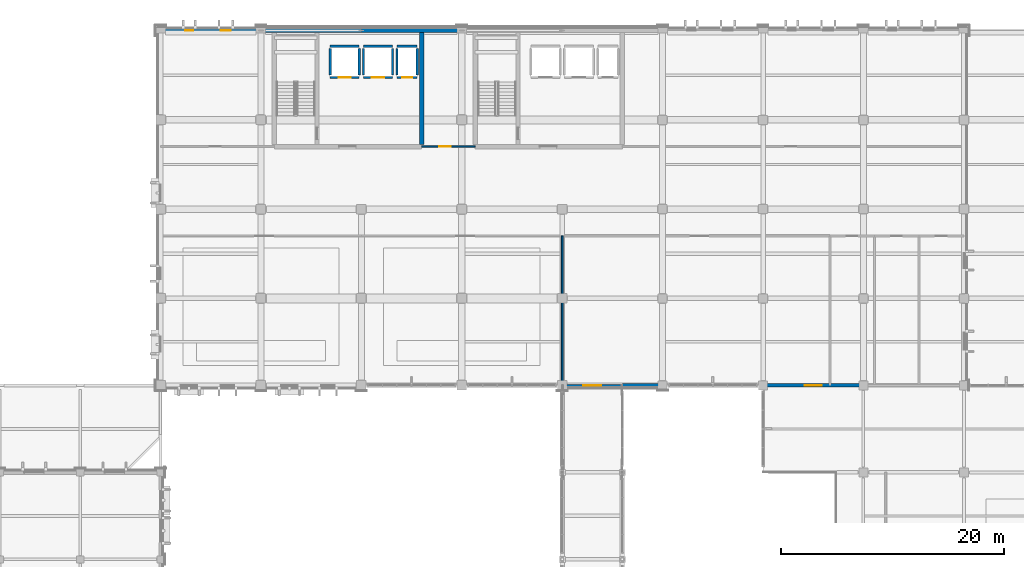
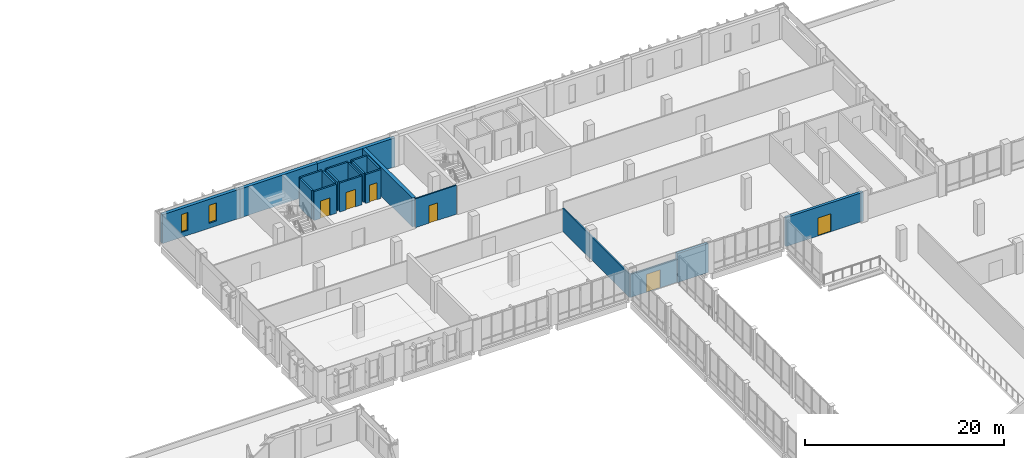
# One storey, part 60 of 85: 21 walls, 6 doors, 2 windows, 8 openings.
"""IFC4 building model written with IfcOpenShell, lengths in metres."""

from ifc_helpers import new_model, si_unit, direction, frame, frame_2d, origin, place, context, subcontext, project, spatial, rectangle, extrude, material, layer, layer_set, type_object, element, fill, save


model = new_model("IFC4")

# Units and contexts
model_context = context("Model", 3, precision=1e-05, world=origin(), true_north=direction((0.0, 1.0)))
body_context = subcontext(model_context, "Body", "Model", "MODEL_VIEW")
ifc_project = project(units=[si_unit("LENGTHUNIT", "METRE"), si_unit("AREAUNIT", "SQUARE_METRE"), si_unit("VOLUMEUNIT", "CUBIC_METRE"), si_unit("PLANEANGLEUNIT", "RADIAN"), si_unit("MASSUNIT", "GRAM", prefix="KILO")], contexts=[model_context])

# Site, building, storey
site_placement = place(None, origin())
site = spatial("IfcSite", under=ifc_project, at=site_placement, CompositionType="ELEMENT")
building_placement = place(site_placement, origin())
building = spatial("IfcBuilding", under=site, at=building_placement, Name="Vervanel Yard Central Library", CompositionType="ELEMENT")
storey_placement = place(building_placement, frame((0.0, 0.0, 5.10009765625)))
storey = spatial("IfcBuildingStorey", under=building, at=storey_placement, Name="L01", CompositionType="ELEMENT", Elevation=5.10009765625)

# Wall
ifc_material_1 = material(Name="Fire-rated gypsum board on steel studs", Category="steel")
ifc_layer_1 = layer(ifc_material_1, 0.159912109375, Category="steel")
ifc_layer_set_1 = layer_set([ifc_layer_1], Name="Fire-rated gypsum board on steel studs")
wall_type_1 = type_object("IfcWallType", Name="Acoustic Glazed Partition 160", PredefinedType="PARTITIONING", material=ifc_layer_set_1)
wall_1_placement = place(storey_placement, frame((72.0, 82.199951171875, 0.0), z_axis=(0.0, 0.0, 1.0), x_axis=(0.0, 1.0, 0.0)))
element("IfcWall", 1, at=wall_1_placement, inside=storey, type_object=wall_type_1, Name="L01 Acoustic Glazed Partition 160 IPART-L01-0049", PredefinedType="PARTITIONING", context=body_context, shape_type="SweptSolid", body=[
    extrude(rectangle(XDim=13.400146484375, YDim=0.159912109375, at=frame_2d((6.7001953125, 0.0))), origin(), (0.0, 0.0, 1.0), 2.85498046875),
])

# Wall, opening, door
wall_2_placement = place(storey_placement, frame((72.0, 82.199951171875, 0.0), z_axis=(0.0, 0.0, 1.0), x_axis=(1.0, 0.0, 0.0)))
wall_2 = element("IfcWall", 2, at=wall_2_placement, inside=storey, type_object=wall_type_1, Name="L01 Acoustic Glazed Partition 160 IPART-RC2-L01-BRG-N", PredefinedType="PARTITIONING", context=body_context, shape_type="SweptSolid", body=[
    extrude(rectangle(XDim=5.39990234375, YDim=0.159912109375, at=frame_2d((2.699951171875, 0.0))), origin(), (0.0, 0.0, 1.0), 2.85498046875),
])
opening_1_placement = place(wall_2_placement, frame((1.89990234375, 0.0, 0.0)))
opening_1 = element("IfcOpeningElement", 3, at=opening_1_placement, cuts=wall_2, Name="Opening DR-04", PredefinedType="OPENING", context=body_context, shape_type="SweptSolid", body=[
    extrude(rectangle(XDim=1.60009765625, YDim=2.199951171875, at=frame_2d((0.800048828125, 1.10009765625))), frame((0.0, 0.08984375, 0.0), z_axis=(0.0, -1.0, 0.0), x_axis=(1.0, 0.0, 0.0)), (0.0, 0.0, 1.0), 0.179931640625),
])
ifc_material_2 = material(Name="Solid white oak acoustic joinery", Category="wood")
door_type_1 = type_object("IfcDoorType", Name="Interior Double Reading Door 1600x2200", OperationType="NOTDEFINED", PredefinedType="DOOR", material=ifc_material_2)
door_1_placement = place(opening_1_placement, origin())
door_1 = element("IfcDoor", 4, at=door_1_placement, inside=storey, type_object=door_type_1, Name="L01 Interior Double Reading Door 1600x2200 IDOOR-IPART-RC2-L01-BRG-N-1", OperationType="DOUBLE_DOOR_SINGLE_SWING", OverallHeight=2.199951171875, OverallWidth=1.60009765625, PredefinedType="DOOR", context=body_context, shape_type="SweptSolid", body=[
    extrude(rectangle(XDim=1.60009765625, YDim=2.199951171875, at=frame_2d((0.800048828125, 1.10009765625))), frame((0.0, 0.02490234375, 0.0), z_axis=(0.0, -1.0, 0.0), x_axis=(1.0, 0.0, 0.0)), (0.0, 0.0, 1.0), 0.050048828125),
])
fill(opening_1, door_1)

# Walls
ifc_material_3 = material(Name="Concrete C45/55", Category="concrete")
ifc_layer_2 = layer(ifc_material_3, 0.39990234375, Category="concrete")
ifc_layer_set_2 = layer_set([ifc_layer_2], Name="Concrete C45/55")
wall_type_2 = type_object("IfcWallType", Name="Core Primary Shear Wall 400", PredefinedType="SHEAR", material=ifc_layer_set_2)
wall_3_placement = place(storey_placement, frame((59.39990234375, 103.800048828125, 0.0), z_axis=(0.0, 0.0, 1.0), x_axis=(0.0, 1.0, 0.0)))
element("IfcWall", 5, at=wall_3_placement, inside=storey, type_object=wall_type_2, Name="L01 CORE-A Shear Wall E", PredefinedType="SHEAR", context=body_context, shape_type="SweptSolid", body=[
    extrude(rectangle(XDim=10.010009765625, YDim=0.39990234375, at=frame_2d((5.0048828125, 0.0))), origin(), (0.0, 0.0, 1.0), 3.5498046875),
])
ifc_layer_3 = layer(ifc_material_3, 0.340087890625, Category="concrete")
ifc_layer_set_3 = layer_set([ifc_layer_3], Name="Concrete C45/55")
wall_type_3 = type_object("IfcWallType", Name="Exterior Bearing Concrete Frame Wall 340", PredefinedType="SOLIDWALL", material=ifc_layer_set_3)
wall_4_placement = place(storey_placement, frame((77.39990234375, 82.199951171875, 0.0), z_axis=(0.0, 0.0, 1.0), x_axis=(1.0, 0.0, 0.0)))
element("IfcWall", 6, at=wall_4_placement, inside=storey, type_object=wall_type_3, Name="L01 Exterior Bearing Concrete Frame Wall 340 EWALL-L01-0029", PredefinedType="SOLIDWALL", context=body_context, shape_type="SweptSolid", body=[
    extrude(rectangle(XDim=3.60009765625, YDim=0.340087890625, at=frame_2d((1.800048828125, 0.0))), origin(), (0.0, 0.0, 1.0), 3.5498046875),
])

# Wall, openings, windows
ifc_layer_4 = layer(ifc_material_3, 0.3798828125, Category="concrete")
ifc_layer_set_4 = layer_set([ifc_layer_4], Name="Concrete C45/55")
wall_type_4 = type_object("IfcWallType", Name="Exterior Bearing Concrete Spine Wall 380", PredefinedType="SOLIDWALL", material=ifc_layer_set_4)
wall_5_placement = place(storey_placement, frame((36.0, 114.0, 0.0), z_axis=(0.0, 0.0, 1.0), x_axis=(1.0, 0.0, 0.0)))
wall_5 = element("IfcWall", 7, at=wall_5_placement, inside=storey, type_object=wall_type_4, Name="L01 Exterior Bearing Concrete Spine Wall 380 EWALL-L01-0019", PredefinedType="SOLIDWALL", context=body_context, shape_type="SweptSolid", body=[
    extrude(rectangle(XDim=9.0, YDim=0.3798828125, at=frame_2d((4.5, 0.0))), origin(), (0.0, 0.0, 1.0), 3.5498046875),
])
opening_2_placement = place(wall_5_placement, frame((2.199951171875, 0.0, 0.614990234375)))
opening_2 = element("IfcOpeningElement", 8, at=opening_2_placement, cuts=wall_5, Name="Opening WN-04", PredefinedType="OPENING", context=body_context, shape_type="SweptSolid", body=[
    extrude(rectangle(XDim=0.75, YDim=2.199951171875, at=frame_2d((0.375, 1.10009765625))), frame((0.0, 0.199951171875, 0.0), z_axis=(0.0, -1.0, 0.0), x_axis=(1.0, 0.0, 0.0)), (0.0, 0.0, 1.0), 0.39990234375),
])
opening_3_placement = place(wall_5_placement, frame((5.39990234375, 0.0, 0.614990234375)))
opening_3 = element("IfcOpeningElement", 9, at=opening_3_placement, cuts=wall_5, Name="Opening WN-05", PredefinedType="OPENING", context=body_context, shape_type="SweptSolid", body=[
    extrude(rectangle(XDim=0.89990234375, YDim=2.199951171875, at=frame_2d((0.449951171875, 1.10009765625))), frame((0.0, 0.199951171875, 0.0), z_axis=(0.0, -1.0, 0.0), x_axis=(1.0, 0.0, 0.0)), (0.0, 0.0, 1.0), 0.39990234375),
])
ifc_material_4 = material(Name="Double low-E laminated solar-control glass", Category="glass")
window_type_1 = type_object("IfcWindowType", Name="Stack Deep-Reveal Window 900x2200", PartitioningType="SINGLE_PANEL", PredefinedType="WINDOW", material=ifc_material_4)
window_1_placement = place(opening_3_placement, origin())
window_1 = element("IfcWindow", 10, at=window_1_placement, inside=storey, type_object=window_type_1, Name="L01 Stack Deep-Reveal Window 900x2200 29", OverallHeight=2.199951171875, OverallWidth=0.89990234375, PartitioningType="SINGLE_PANEL", PredefinedType="WINDOW", context=body_context, shape_type="SweptSolid", body=[
    extrude(rectangle(XDim=0.89990234375, YDim=2.199951171875, at=frame_2d((0.449951171875, 1.10009765625))), frame((0.0, 0.030029296875, 0.0), z_axis=(0.0, -1.0, 0.0), x_axis=(1.0, 0.0, 0.0)), (0.0, 0.0, 1.0), 0.06005859375),
])
fill(opening_3, window_1)
window_type_2 = type_object("IfcWindowType", Name="Stack Narrow UV-Filtered Window 750x2200", PartitioningType="SINGLE_PANEL", PredefinedType="WINDOW", material=ifc_material_4)
window_2_placement = place(opening_2_placement, origin())
window_2 = element("IfcWindow", 11, at=window_2_placement, inside=storey, type_object=window_type_2, Name="L01 Stack Narrow UV-Filtered Window 750x2200 28", OverallHeight=2.199951171875, OverallWidth=0.75, PartitioningType="SINGLE_PANEL", PredefinedType="WINDOW", context=body_context, shape_type="SweptSolid", body=[
    extrude(rectangle(XDim=0.75, YDim=2.199951171875, at=frame_2d((0.375, 1.10009765625))), frame((0.0, 0.030029296875, 0.0), z_axis=(0.0, -1.0, 0.0), x_axis=(1.0, 0.0, 0.0)), (0.0, 0.0, 1.0), 0.06005859375),
])
fill(opening_2, window_2)

# Walls
for number, where, z_axis, x_axis, name in (
    (12, (45.0, 114.0, 0.0), (0.0, 0.0, 1.0), (1.0, 0.0, 0.0), "L01 Exterior Bearing Concrete Spine Wall 380 EWALL-L01-0020"),
    (13, (54.0, 114.0, 0.0), (0.0, 0.0, 1.0), (1.0, 0.0, 0.0), "L01 Exterior Bearing Concrete Spine Wall 380 EWALL-L01-0021"),
):
    element("IfcWall", number, at=place(storey_placement, frame(where, z_axis=z_axis, x_axis=x_axis)), inside=storey, type_object=wall_type_4, Name=name, PredefinedType="SOLIDWALL", context=body_context, shape_type="SweptSolid", body=[
        extrude(rectangle(XDim=9.0, YDim=0.3798828125, at=frame_2d((4.5, 0.0))), origin(), (0.0, 0.0, 1.0), 3.5498046875),
    ])

# Wall, opening, door
ifc_layer_5 = layer(ifc_material_1, 0.14990234375, Category="steel")
ifc_layer_set_5 = layer_set([ifc_layer_5], Name="Fire-rated gypsum board on steel studs")
wall_type_5 = type_object("IfcWallType", Name="Interior Partition 150", PredefinedType="PARTITIONING", material=ifc_layer_set_5)
wall_6_placement = place(storey_placement, frame((59.39990234375, 103.60009765625, 0.0), z_axis=(0.0, 0.0, 1.0), x_axis=(1.0, 0.0, 0.0)))
wall_6 = element("IfcWall", 14, at=wall_6_placement, inside=storey, type_object=wall_type_5, Name="L01 Interior Partition 150 IPART-L01-0057", PredefinedType="PARTITIONING", context=body_context, shape_type="SweptSolid", body=[
    extrude(rectangle(XDim=4.800048828125, YDim=0.14990234375, at=frame_2d((2.39990234375, 0.0))), origin(), (0.0, 0.0, 1.0), 3.5498046875),
])
opening_4_placement = place(wall_6_placement, frame((1.60009765625, 0.0, 0.0)))
opening_4 = element("IfcOpeningElement", 15, at=opening_4_placement, cuts=wall_6, Name="Opening DR-01", PredefinedType="OPENING", context=body_context, shape_type="SweptSolid", body=[
    extrude(rectangle(XDim=1.0, YDim=2.14990234375, at=frame_2d((0.5, 1.074951171875))), frame((0.0, 0.0849609375, 0.0), z_axis=(0.0, -1.0, 0.0), x_axis=(1.0, 0.0, 0.0)), (0.0, 0.0, 1.0), 0.169921875),
])
door_type_2 = type_object("IfcDoorType", Name="Interior Single Door 1000x2150", OperationType="NOTDEFINED", PredefinedType="DOOR", material=ifc_material_2)
door_2_placement = place(opening_4_placement, origin())
door_2 = element("IfcDoor", 16, at=door_2_placement, inside=storey, type_object=door_type_2, Name="L01 Interior Single Door 1000x2150 IDOOR-L01-0043", OperationType="SINGLE_SWING_LEFT", OverallHeight=2.14990234375, OverallWidth=1.0, PredefinedType="DOOR", context=body_context, shape_type="SweptSolid", body=[
    extrude(rectangle(XDim=1.0, YDim=2.14990234375, at=frame_2d((0.5, 1.074951171875))), frame((0.0, 0.02490234375, 0.0), z_axis=(0.0, -1.0, 0.0), x_axis=(1.0, 0.0, 0.0)), (0.0, 0.0, 1.0), 0.050048828125),
])
fill(opening_4, door_2)

ifc_material_5 = material(Name="Concrete C40/50", Category="concrete")
ifc_layer_6 = layer(ifc_material_5, 0.199951171875, Category="concrete")
ifc_layer_set_6 = layer_set([ifc_layer_6], Name="Concrete C40/50")
wall_type_6 = type_object("IfcWallType", Name="Shaft & Plant Rated Wall 200", PredefinedType="PARTITIONING", material=ifc_layer_set_6)
wall_7_placement = place(storey_placement, frame((51.199951171875, 109.800048828125, 0.0), z_axis=(0.0, 0.0, 1.0), x_axis=(1.0, 0.0, 0.0)))
wall_7 = element("IfcWall", 17, at=wall_7_placement, inside=storey, type_object=wall_type_6, Name="L01 CORE-A-L01-EL-01 Shaft Wall S", PredefinedType="PARTITIONING", context=body_context, shape_type="SweptSolid", body=[
    extrude(rectangle(XDim=2.60009765625, YDim=0.199951171875, at=frame_2d((1.300048828125, 0.0))), origin(), (0.0, 0.0, 1.0), 3.5498046875),
])
opening_5_placement = place(wall_7_placement, frame((0.75, 0.0, 0.0)))
opening_5 = element("IfcOpeningElement", 18, at=opening_5_placement, cuts=wall_7, Name="Opening LD-01", PredefinedType="OPENING", context=body_context, shape_type="SweptSolid", body=[
    extrude(rectangle(XDim=1.10009765625, YDim=2.14990234375, at=frame_2d((0.550048828125, 1.074951171875))), frame((0.0, 0.10986328125, 0.0), z_axis=(0.0, -1.0, 0.0), x_axis=(1.0, 0.0, 0.0)), (0.0, 0.0, 1.0), 0.219970703125),
])
ifc_material_6 = material(Name="Brushed stainless steel AISI 316", Category="steel")
door_type_3 = type_object("IfcDoorType", Name="Passenger Lift Sliding Landing Door 1100x2150", OperationType="NOTDEFINED", PredefinedType="DOOR", material=ifc_material_6)
door_3_placement = place(opening_5_placement, origin())
door_3 = element("IfcDoor", 19, at=door_3_placement, inside=storey, type_object=door_type_3, Name="L01 Lift EL-01 Landing Door", OperationType="SLIDING_TO_LEFT", OverallHeight=2.14990234375, OverallWidth=1.10009765625, PredefinedType="DOOR", context=body_context, shape_type="SweptSolid", body=[
    extrude(rectangle(XDim=1.10009765625, YDim=2.14990234375, at=frame_2d((0.550048828125, 1.074951171875))), frame((0.0, 0.02490234375, 0.0), z_axis=(0.0, -1.0, 0.0), x_axis=(1.0, 0.0, 0.0)), (0.0, 0.0, 1.0), 0.050048828125),
])
fill(opening_5, door_3)

# Walls
wall_8_placement = place(storey_placement, frame((51.199951171875, 112.60009765625, 0.0), z_axis=(0.0, 0.0, 1.0), x_axis=(1.0, 0.0, 0.0)))
element("IfcWall", 20, at=wall_8_placement, inside=storey, type_object=wall_type_6, Name="L01 CORE-A-L01-EL-01 Shaft Wall N", PredefinedType="PARTITIONING", context=body_context, shape_type="SweptSolid", body=[
    extrude(rectangle(XDim=2.60009765625, YDim=0.199951171875, at=frame_2d((1.300048828125, 0.0))), origin(), (0.0, 0.0, 1.0), 3.5498046875),
])
for number, where, z_axis, x_axis, name in (
    (21, (51.199951171875, 110.0, 0.0), (0.0, 0.0, 1.0), (0.0, 1.0, 0.0), "L01 CORE-A-L01-EL-01 Shaft Wall W"),
    (22, (53.800048828125, 110.0, 0.0), (0.0, 0.0, 1.0), (0.0, 1.0, 0.0), "L01 CORE-A-L01-EL-01 Shaft Wall E"),
):
    element("IfcWall", number, at=place(storey_placement, frame(where, z_axis=z_axis, x_axis=x_axis)), inside=storey, type_object=wall_type_6, Name=name, PredefinedType="PARTITIONING", context=body_context, shape_type="SweptSolid", body=[
        extrude(rectangle(XDim=2.39990234375, YDim=0.199951171875, at=frame_2d((1.199951171875, 0.0))), origin(), (0.0, 0.0, 1.0), 3.5498046875),
    ])

# Wall, opening, door
wall_9_placement = place(storey_placement, frame((54.199951171875, 109.800048828125, 0.0), z_axis=(0.0, 0.0, 1.0), x_axis=(1.0, 0.0, 0.0)))
wall_9 = element("IfcWall", 23, at=wall_9_placement, inside=storey, type_object=wall_type_6, Name="L01 CORE-A-L01-EL-02 Shaft Wall S", PredefinedType="PARTITIONING", context=body_context, shape_type="SweptSolid", body=[
    extrude(rectangle(XDim=2.60009765625, YDim=0.199951171875, at=frame_2d((1.300048828125, 0.0))), origin(), (0.0, 0.0, 1.0), 3.5498046875),
])
opening_6_placement = place(wall_9_placement, frame((0.75, 0.0, 0.0)))
opening_6 = element("IfcOpeningElement", 24, at=opening_6_placement, cuts=wall_9, Name="Opening LD-01", PredefinedType="OPENING", context=body_context, shape_type="SweptSolid", body=[
    extrude(rectangle(XDim=1.10009765625, YDim=2.14990234375, at=frame_2d((0.550048828125, 1.074951171875))), frame((0.0, 0.10986328125, 0.0), z_axis=(0.0, -1.0, 0.0), x_axis=(1.0, 0.0, 0.0)), (0.0, 0.0, 1.0), 0.219970703125),
])
door_4_placement = place(opening_6_placement, origin())
door_4 = element("IfcDoor", 25, at=door_4_placement, inside=storey, type_object=door_type_3, Name="L01 Lift EL-02 Landing Door", OperationType="SLIDING_TO_RIGHT", OverallHeight=2.14990234375, OverallWidth=1.10009765625, PredefinedType="DOOR", context=body_context, shape_type="SweptSolid", body=[
    extrude(rectangle(XDim=1.10009765625, YDim=2.14990234375, at=frame_2d((0.550048828125, 1.074951171875))), frame((0.0, 0.02490234375, 0.0), z_axis=(0.0, -1.0, 0.0), x_axis=(1.0, 0.0, 0.0)), (0.0, 0.0, 1.0), 0.050048828125),
])
fill(opening_6, door_4)

# Walls
wall_10_placement = place(storey_placement, frame((54.199951171875, 112.60009765625, 0.0), z_axis=(0.0, 0.0, 1.0), x_axis=(1.0, 0.0, 0.0)))
element("IfcWall", 26, at=wall_10_placement, inside=storey, type_object=wall_type_6, Name="L01 CORE-A-L01-EL-02 Shaft Wall N", PredefinedType="PARTITIONING", context=body_context, shape_type="SweptSolid", body=[
    extrude(rectangle(XDim=2.60009765625, YDim=0.199951171875, at=frame_2d((1.300048828125, 0.0))), origin(), (0.0, 0.0, 1.0), 3.5498046875),
])
for number, where, z_axis, x_axis, name in (
    (27, (54.199951171875, 110.0, 0.0), (0.0, 0.0, 1.0), (0.0, 1.0, 0.0), "L01 CORE-A-L01-EL-02 Shaft Wall W"),
    (28, (56.800048828125, 110.0, 0.0), (0.0, 0.0, 1.0), (0.0, 1.0, 0.0), "L01 CORE-A-L01-EL-02 Shaft Wall E"),
):
    element("IfcWall", number, at=place(storey_placement, frame(where, z_axis=z_axis, x_axis=x_axis)), inside=storey, type_object=wall_type_6, Name=name, PredefinedType="PARTITIONING", context=body_context, shape_type="SweptSolid", body=[
        extrude(rectangle(XDim=2.39990234375, YDim=0.199951171875, at=frame_2d((1.199951171875, 0.0))), origin(), (0.0, 0.0, 1.0), 3.5498046875),
    ])

# Wall, opening, door
wall_11_placement = place(storey_placement, frame((57.199951171875, 109.800048828125, 0.0), z_axis=(0.0, 0.0, 1.0), x_axis=(1.0, 0.0, 0.0)))
wall_11 = element("IfcWall", 29, at=wall_11_placement, inside=storey, type_object=wall_type_6, Name="L01 CORE-A-L01-RIS Shaft Wall S", PredefinedType="PARTITIONING", context=body_context, shape_type="SweptSolid", body=[
    extrude(rectangle(XDim=1.800048828125, YDim=0.199951171875, at=frame_2d((0.89990234375, 0.0))), origin(), (0.0, 0.0, 1.0), 3.5498046875),
])
opening_7_placement = place(wall_11_placement, frame((0.449951171875, 0.0, 0.0)))
opening_7 = element("IfcOpeningElement", 30, at=opening_7_placement, cuts=wall_11, Name="Opening DR-03", PredefinedType="OPENING", context=body_context, shape_type="SweptSolid", body=[
    extrude(rectangle(XDim=0.89990234375, YDim=2.10009765625, at=frame_2d((0.449951171875, 1.050048828125))), frame((0.0, 0.10986328125, 0.0), z_axis=(0.0, -1.0, 0.0), x_axis=(1.0, 0.0, 0.0)), (0.0, 0.0, 1.0), 0.219970703125),
])
ifc_material_7 = material(Name="Galvanized painted steelwork ASTM A500 Grade C", Category="steel")
door_type_4 = type_object("IfcDoorType", Name="Interior Riser Access Door 900x2100", OperationType="NOTDEFINED", PredefinedType="DOOR", material=ifc_material_7)
door_5_placement = place(opening_7_placement, origin())
door_5 = element("IfcDoor", 31, at=door_5_placement, inside=storey, type_object=door_type_4, Name="L01 CORE-A Riser Access Door", OperationType="SINGLE_SWING_RIGHT", OverallHeight=2.10009765625, OverallWidth=0.89990234375, PredefinedType="DOOR", context=body_context, shape_type="SweptSolid", body=[
    extrude(rectangle(XDim=0.89990234375, YDim=2.10009765625, at=frame_2d((0.449951171875, 1.050048828125))), frame((0.0, 0.02490234375, 0.0), z_axis=(0.0, -1.0, 0.0), x_axis=(1.0, 0.0, 0.0)), (0.0, 0.0, 1.0), 0.050048828125),
])
fill(opening_7, door_5)

# Walls
wall_12_placement = place(storey_placement, frame((57.199951171875, 112.60009765625, 0.0), z_axis=(0.0, 0.0, 1.0), x_axis=(1.0, 0.0, 0.0)))
element("IfcWall", 32, at=wall_12_placement, inside=storey, type_object=wall_type_6, Name="L01 CORE-A-L01-RIS Shaft Wall N", PredefinedType="PARTITIONING", context=body_context, shape_type="SweptSolid", body=[
    extrude(rectangle(XDim=1.800048828125, YDim=0.199951171875, at=frame_2d((0.89990234375, 0.0))), origin(), (0.0, 0.0, 1.0), 3.5498046875),
])
for number, where, z_axis, x_axis, name in (
    (33, (57.199951171875, 110.0, 0.0), (0.0, 0.0, 1.0), (0.0, 1.0, 0.0), "L01 CORE-A-L01-RIS Shaft Wall W"),
    (34, (59.0, 110.0, 0.0), (0.0, 0.0, 1.0), (0.0, 1.0, 0.0), "L01 CORE-A-L01-RIS Shaft Wall E"),
):
    element("IfcWall", number, at=place(storey_placement, frame(where, z_axis=z_axis, x_axis=x_axis)), inside=storey, type_object=wall_type_6, Name=name, PredefinedType="PARTITIONING", context=body_context, shape_type="SweptSolid", body=[
        extrude(rectangle(XDim=2.39990234375, YDim=0.199951171875, at=frame_2d((1.199951171875, 0.0))), origin(), (0.0, 0.0, 1.0), 3.5498046875),
    ])

# Wall, opening, door
ifc_layer_7 = layer(ifc_material_3, 0.320068359375, Category="concrete")
ifc_layer_set_7 = layer_set([ifc_layer_7], Name="Concrete C45/55")
wall_type_7 = type_object("IfcWallType", Name="Spine Lateral Shear Wall 320", PredefinedType="SHEAR", material=ifc_layer_set_7)
wall_13_placement = place(storey_placement, frame((90.0, 82.199951171875, 0.0), z_axis=(0.0, 0.0, 1.0), x_axis=(1.0, 0.0, 0.0)))
wall_13 = element("IfcWall", 35, at=wall_13_placement, inside=storey, type_object=wall_type_7, Name="L01 V1-V3 Spine Shear Wall", PredefinedType="SHEAR", context=body_context, shape_type="SweptSolid", body=[
    extrude(rectangle(XDim=9.0, YDim=0.320068359375, at=frame_2d((4.5, 0.0))), origin(), (0.0, 0.0, 1.0), 3.5498046875),
])
opening_8_placement = place(wall_13_placement, frame((3.75, 0.0, 0.0)))
opening_8 = element("IfcOpeningElement", 36, at=opening_8_placement, cuts=wall_13, Name="Opening DR-F02", PredefinedType="OPENING", context=body_context, shape_type="SweptSolid", body=[
    extrude(rectangle(XDim=1.5, YDim=2.199951171875, at=frame_2d((0.75, 1.10009765625))), frame((0.0, 0.169921875, 0.0), z_axis=(0.0, -1.0, 0.0), x_axis=(1.0, 0.0, 0.0)), (0.0, 0.0, 1.0), 0.340087890625),
])
door_type_5 = type_object("IfcDoorType", Name="Fire-Rated Lobby Door 1500x2200", OperationType="NOTDEFINED", PredefinedType="DOOR", material=ifc_material_7)
door_6_placement = place(opening_8_placement, origin())
door_6 = element("IfcDoor", 37, at=door_6_placement, inside=storey, type_object=door_type_5, Name="L01 Spine-to-Reading-Hall Fire Door", OperationType="DOUBLE_DOOR_SINGLE_SWING", OverallHeight=2.199951171875, OverallWidth=1.5, PredefinedType="DOOR", context=body_context, shape_type="SweptSolid", body=[
    extrude(rectangle(XDim=1.5, YDim=2.199951171875, at=frame_2d((0.75, 1.10009765625))), frame((0.0, 0.02490234375, 0.0), z_axis=(0.0, -1.0, 0.0), x_axis=(1.0, 0.0, 0.0)), (0.0, 0.0, 1.0), 0.050048828125),
])
fill(opening_8, door_6)

save(model, "model.ifc")
